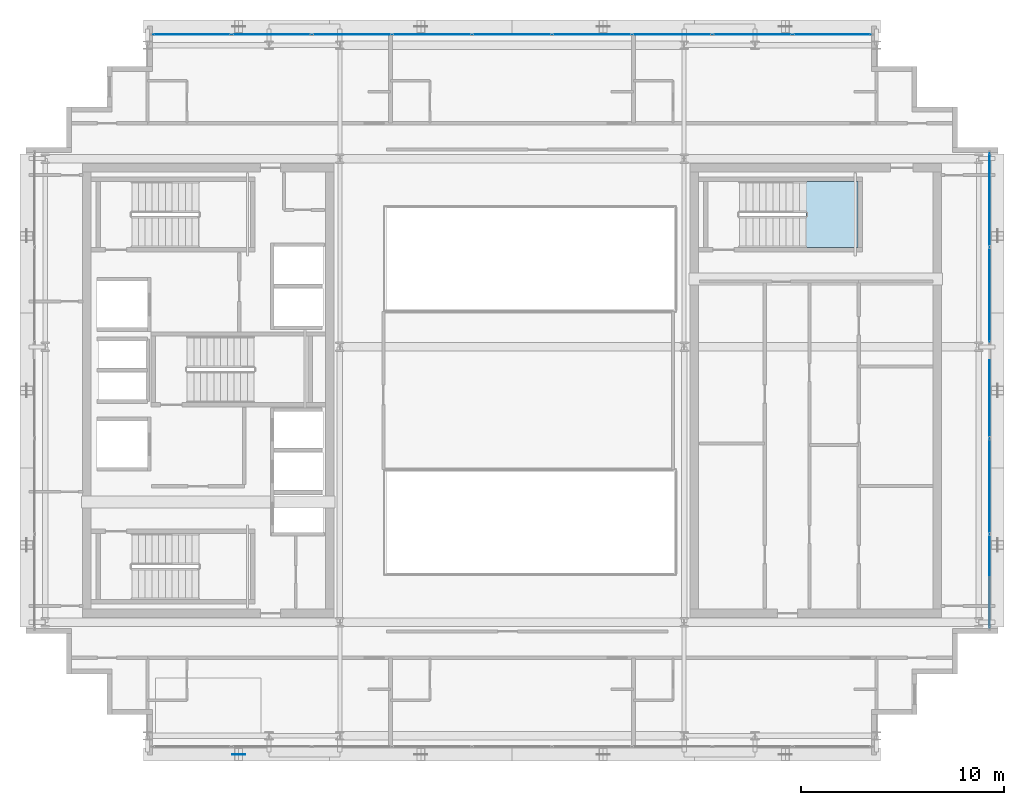
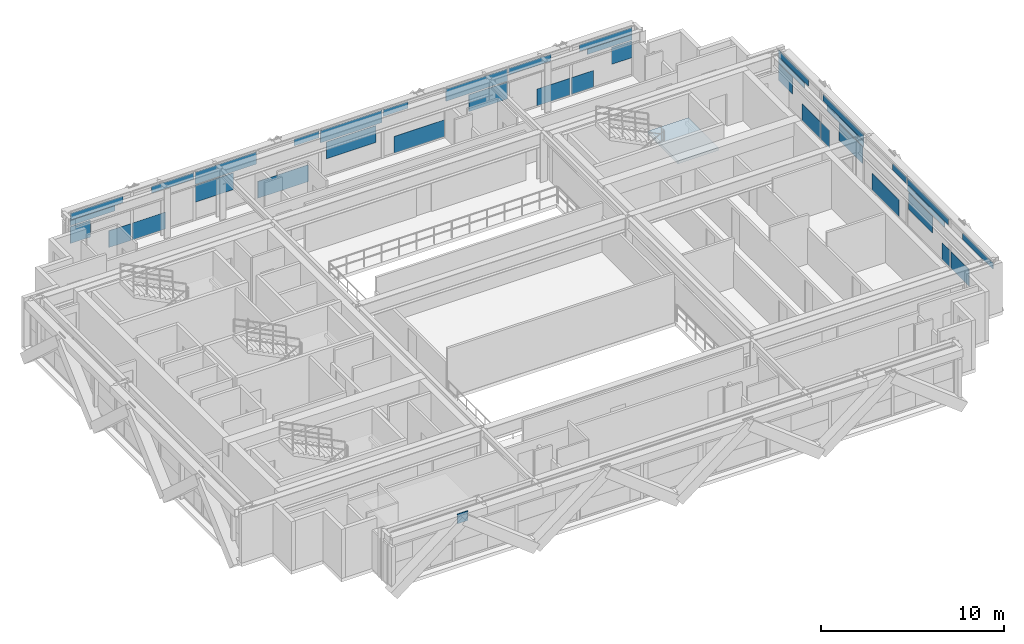
# One storey, part 18 of 28: 39 plates, 1 slab, 3 elements without a shape of their own.
"""IFC4 building model written with IfcOpenShell, lengths in metres."""

from ifc_helpers import new_model, si_unit, direction, frame, origin, origin_2d, place, context, subcontext, project, spatial, polyline, rectangle, outline, extrude, source, transform, mapped, material, layer, layer_set, type_object, element, aggregate, save


model = new_model("IFC4")

# Units and contexts
model_context = context("Model", 3, precision=1e-05, world=origin(), true_north=direction((0.0, 1.0)))
body_context = subcontext(model_context, "Body", "Model", "MODEL_VIEW")
ifc_project = project(units=[si_unit("LENGTHUNIT", "METRE"), si_unit("AREAUNIT", "SQUARE_METRE"), si_unit("VOLUMEUNIT", "CUBIC_METRE"), si_unit("PLANEANGLEUNIT", "RADIAN"), si_unit("MASSUNIT", "GRAM", prefix="KILO")], contexts=[model_context])

# Site, building, storey
site_placement = place(None, origin())
site = spatial("IfcSite", under=ifc_project, at=site_placement, CompositionType="ELEMENT")
building_placement = place(site_placement, origin())
building = spatial("IfcBuilding", under=site, at=building_placement, Name="Ocotamira Hotel", CompositionType="ELEMENT")
storey_placement = place(building_placement, frame((0.0, 0.0, 243.60009765625)))
storey = spatial("IfcBuildingStorey", under=building, at=storey_placement, Name="L61", CompositionType="ELEMENT", Elevation=243.60009765625)

# Stair, slab
ifc_material_1 = material(Name="Concrete C40/50", Category="concrete")
stair_type = type_object("IfcStairType", Name="ST-CORE-1560", PredefinedType="HALF_TURN_STAIR", material=ifc_material_1)
stair_placement = place(storey_placement, origin())
stair = element("IfcStair", 1, at=stair_placement, inside=storey, type_object=stair_type, Name="L61 Exit Stair ST-4", PredefinedType="HALF_TURN_STAIR")
ifc_layer_1 = layer(ifc_material_1, 0.199951171875)
ifc_layer_set_1 = layer_set([ifc_layer_1], Name="Concrete C40/50")
slab_type = type_object("IfcSlabType", Name="SLB-LAND-200", PredefinedType="LANDING", material=ifc_layer_set_1)
slab_placement = place(storey_placement, frame((0.0, 0.0, 1.599853515625)))
slab = element("IfcSlab", 2, at=slab_placement, type_object=slab_type, Name="ST-4 landing 1", PredefinedType="LANDING", context=body_context, shape_type="SweptSolid", body=[
    extrude(outline(polyline([(46.530029296875, 33.050048828125), (49.090087890625, 33.050048828125), (49.090087890625, 36.330078125), (46.530029296875, 36.330078125), (46.530029296875, 33.050048828125)])), origin(), (0.0, 0.0, 1.0), 0.199951171875),
])
aggregate(stair, [slab])

# Plate
ifc_material_2 = material(Name="Pale-metal coated steel ASTM A572 Grade 50", Category="steel")
ifc_layer_2 = layer(ifc_material_2, 0.0400390625)
ifc_layer_set_2 = layer_set([ifc_layer_2], Name="Pale-metal coated steel ASTM A572 Grade 50")
plate_type_1 = type_object("IfcPlateType", Name="PLT-GUSSET-40", PredefinedType="SHEET", material=ifc_layer_set_2)
shared_shape_1 = source(origin(), body_context, "Body", "SweptSolid", [
    extrude(rectangle(XDim=0.64990234375, YDim=0.0400390625, at=origin_2d()), origin(), (0.0, 0.0, 1.0), 0.64990234375),
])
plate_1_placement = place(storey_placement, frame((18.5, 8.030029296875, 2.704833984375), z_axis=(0.0, 0.0, 1.0), x_axis=(1.0, 0.0, 0.0)))
element("IfcPlate", 3, at=plate_1_placement, inside=storey, type_object=plate_type_1, Name="L61 Exoskeleton Diagrid S0.1 End Gusset B", PredefinedType="SHEET", context=body_context, shape_type="MappedRepresentation", body=[
    mapped(shared_shape_1, transform((0.0, 0.0, 0.0), scale=1.0)),
])

# Curtain wall, plates
ifc_material_3 = material(Name="Anodised pale-metal aluminium and solar glass", Category="aluminium")
ifc_layer_3 = layer(ifc_material_3, 0.239990234375)
ifc_layer_set_3 = layer_set([ifc_layer_3], Name="Anodised pale-metal aluminium and solar glass")
curtain_wall_type = type_object("IfcCurtainWallType", Name="CW-SYS5-SKY", PredefinedType="NOTDEFINED", material=ifc_layer_set_3)
curtain_wall_1_placement = place(storey_placement, origin())
curtain_wall_1 = element("IfcCurtainWall", 4, at=curtain_wall_1_placement, inside=storey, type_object=curtain_wall_type, Name="L61 Curtain Wall CW-5 CW-L61-N", PredefinedType="NOTDEFINED")
ifc_material_4 = material(Name="Double-silver low-E insulated solar glass", Category="glass")
ifc_layer_4 = layer(ifc_material_4, 0.031982421875)
ifc_layer_set_4 = layer_set([ifc_layer_4], Name="Double-silver low-E insulated solar glass")
plate_type_2 = type_object("IfcPlateType", Name="CWP-VISION-32", PredefinedType="CURTAIN_PANEL", material=ifc_layer_set_4)
shared_shape_2 = source(origin(), body_context, "Body", "SweptSolid", [
    extrude(rectangle(XDim=3.87548828125, YDim=0.031982421875, at=origin_2d()), origin(), (0.0, 0.0, 1.0), 0.8173828125),
])
plate_2_placement = place(storey_placement, frame((24.0888671875, 43.580078125, 2.387451171875), z_axis=(0.0, 0.0, 1.0), x_axis=(1.0, 0.0, 0.0)))
plate_2 = element("IfcPlate", 5, at=plate_2_placement, type_object=plate_type_2, Name="CW-5 panel 3.2", PredefinedType="CURTAIN_PANEL", context=body_context, shape_type="MappedRepresentation", body=[
    mapped(shared_shape_2, transform((0.0, 0.0, 0.0), scale=1.0)),
])
plate_3_placement = place(storey_placement, frame((32.0, 43.580078125, 2.387451171875), z_axis=(0.0, 0.0, 1.0), x_axis=(1.0, 0.0, 0.0)))
plate_3 = element("IfcPlate", 6, at=plate_3_placement, type_object=plate_type_2, Name="CW-5 panel 5.2", PredefinedType="CURTAIN_PANEL", context=body_context, shape_type="MappedRepresentation", body=[
    mapped(shared_shape_2, transform((0.0, 0.0, 0.0), scale=1.0)),
])
plate_4_placement = place(storey_placement, frame((39.9111328125, 43.580078125, 2.387451171875), z_axis=(0.0, 0.0, 1.0), x_axis=(1.0, 0.0, 0.0)))
plate_4 = element("IfcPlate", 7, at=plate_4_placement, type_object=plate_type_2, Name="CW-5 panel 7.2", PredefinedType="CURTAIN_PANEL", context=body_context, shape_type="MappedRepresentation", body=[
    mapped(shared_shape_2, transform((0.0, 0.0, 0.0), scale=1.0)),
])
shared_shape_3 = source(origin(), body_context, "Body", "SweptSolid", [
    extrude(rectangle(XDim=1.2890625, YDim=0.031982421875, at=origin_2d()), origin(), (0.0, 0.0, 1.0), 1.118896484375),
])
plate_5_placement = place(storey_placement, frame((14.924560546875, 43.580078125, 1.193359375), z_axis=(0.0, 0.0, 1.0), x_axis=(1.0, 0.0, 0.0)))
plate_5 = element("IfcPlate", 8, at=plate_5_placement, type_object=plate_type_2, Name="CW-5 panel 1.1.1", PredefinedType="CURTAIN_PANEL", context=body_context, shape_type="MappedRepresentation", body=[
    mapped(shared_shape_3, transform((0.0, 0.0, 0.0), scale=1.0)),
])
plate_6_placement = place(storey_placement, frame((49.075439453125, 43.580078125, 1.193359375), z_axis=(0.0, 0.0, 1.0), x_axis=(1.0, 0.0, 0.0)))
plate_6 = element("IfcPlate", 9, at=plate_6_placement, type_object=plate_type_2, Name="CW-5 panel 9.1.2", PredefinedType="CURTAIN_PANEL", context=body_context, shape_type="MappedRepresentation", body=[
    mapped(shared_shape_3, transform((0.0, 0.0, 0.0), scale=1.0)),
])
shared_shape_4 = source(origin(), body_context, "Body", "SweptSolid", [
    extrude(rectangle(XDim=1.406494140625, YDim=0.031982421875, at=origin_2d()), origin(), (0.0, 0.0, 1.0), 1.11865234375),
])
plate_7_placement = place(storey_placement, frame((17.412353515625, 43.580078125, 0.074951171875), z_axis=(0.0, 0.0, 1.0), x_axis=(1.0, 0.0, 0.0)))
plate_7 = element("IfcPlate", 10, at=plate_7_placement, type_object=plate_type_2, Name="CW-5 panel 1.1.2", PredefinedType="CURTAIN_PANEL", context=body_context, shape_type="MappedRepresentation", body=[
    mapped(shared_shape_4, transform((0.0, 0.0, 0.0), scale=1.0)),
])
plate_8_placement = place(storey_placement, frame((46.587646484375, 43.580078125, 0.074951171875), z_axis=(0.0, 0.0, 1.0), x_axis=(1.0, 0.0, 0.0)))
plate_8 = element("IfcPlate", 11, at=plate_8_placement, type_object=plate_type_2, Name="CW-5 panel 9.1.1", PredefinedType="CURTAIN_PANEL", context=body_context, shape_type="MappedRepresentation", body=[
    mapped(shared_shape_4, transform((0.0, 0.0, 0.0), scale=1.0)),
])
shared_shape_5 = source(origin(), body_context, "Body", "SweptSolid", [
    extrude(rectangle(XDim=2.82373046875, YDim=0.031982421875, at=origin_2d()), origin(), (0.0, 0.0, 1.0), 0.356201171875),
])
plate_9_placement = place(storey_placement, frame((15.69189453125, 43.580078125, 2.38720703125), z_axis=(0.0, 0.0, 1.0), x_axis=(1.0, 0.0, 0.0)))
plate_9 = element("IfcPlate", 12, at=plate_9_placement, type_object=plate_type_2, Name="CW-5 panel 1.2.1", PredefinedType="CURTAIN_PANEL", context=body_context, shape_type="MappedRepresentation", body=[
    mapped(shared_shape_5, transform((0.0, 0.0, 0.0), scale=1.0)),
])
plate_10_placement = place(storey_placement, frame((48.30810546875, 43.580078125, 2.38720703125), z_axis=(0.0, 0.0, 1.0), x_axis=(1.0, 0.0, 0.0)))
plate_10 = element("IfcPlate", 13, at=plate_10_placement, type_object=plate_type_2, Name="CW-5 panel 9.2.2", PredefinedType="CURTAIN_PANEL", context=body_context, shape_type="MappedRepresentation", body=[
    mapped(shared_shape_5, transform((0.0, 0.0, 0.0), scale=1.0)),
])
shared_shape_6 = source(origin(), body_context, "Body", "SweptSolid", [
    extrude(rectangle(XDim=3.314453125, YDim=0.031982421875, at=origin_2d()), origin(), (0.0, 0.0, 1.0), 0.435791015625),
])
plate_11_placement = place(storey_placement, frame((15.937255859375, 43.580078125, 2.76904296875), z_axis=(0.0, 0.0, 1.0), x_axis=(1.0, 0.0, 0.0)))
plate_11 = element("IfcPlate", 14, at=plate_11_placement, type_object=plate_type_2, Name="CW-5 panel 1.2.2", PredefinedType="CURTAIN_PANEL", context=body_context, shape_type="MappedRepresentation", body=[
    mapped(shared_shape_6, transform((0.0, 0.0, 0.0), scale=1.0)),
])
plate_12_placement = place(storey_placement, frame((48.062744140625, 43.580078125, 2.76904296875), z_axis=(0.0, 0.0, 1.0), x_axis=(1.0, 0.0, 0.0)))
plate_12 = element("IfcPlate", 15, at=plate_12_placement, type_object=plate_type_2, Name="CW-5 panel 9.2.1", PredefinedType="CURTAIN_PANEL", context=body_context, shape_type="MappedRepresentation", body=[
    mapped(shared_shape_6, transform((0.0, 0.0, 0.0), scale=1.0)),
])
shared_shape_7 = source(origin(), body_context, "Body", "SweptSolid", [
    extrude(rectangle(XDim=2.09521484375, YDim=0.031982421875, at=origin_2d()), origin(), (0.0, 0.0, 1.0), 1.11865234375),
])
plate_13_placement = place(storey_placement, frame((19.2431640625, 43.580078125, 0.074951171875), z_axis=(0.0, 0.0, 1.0), x_axis=(1.0, 0.0, 0.0)))
plate_13 = element("IfcPlate", 16, at=plate_13_placement, type_object=plate_type_2, Name="CW-5 panel 2.1.1", PredefinedType="CURTAIN_PANEL", context=body_context, shape_type="MappedRepresentation", body=[
    mapped(shared_shape_7, transform((0.0, 0.0, 0.0), scale=1.0)),
])
plate_14_placement = place(storey_placement, frame((44.7568359375, 43.580078125, 0.074951171875), z_axis=(0.0, 0.0, 1.0), x_axis=(1.0, 0.0, 0.0)))
plate_14 = element("IfcPlate", 17, at=plate_14_placement, type_object=plate_type_2, Name="CW-5 panel 8.1.1", PredefinedType="CURTAIN_PANEL", context=body_context, shape_type="MappedRepresentation", body=[
    mapped(shared_shape_7, transform((0.0, 0.0, 0.0), scale=1.0)),
])
shared_shape_8 = source(origin(), body_context, "Body", "SweptSolid", [
    extrude(rectangle(XDim=2.66552734375, YDim=0.031982421875, at=origin_2d()), origin(), (0.0, 0.0, 1.0), 0.435791015625),
])
plate_15_placement = place(storey_placement, frame((20.73828125, 43.580078125, 2.76904296875), z_axis=(0.0, 0.0, 1.0), x_axis=(1.0, 0.0, 0.0)))
plate_15 = element("IfcPlate", 18, at=plate_15_placement, type_object=plate_type_2, Name="CW-5 panel 2.2.1", PredefinedType="CURTAIN_PANEL", context=body_context, shape_type="MappedRepresentation", body=[
    mapped(shared_shape_8, transform((0.0, 0.0, 0.0), scale=1.0)),
])
plate_16_placement = place(storey_placement, frame((43.26171875, 43.580078125, 2.76904296875), z_axis=(0.0, 0.0, 1.0), x_axis=(1.0, 0.0, 0.0)))
plate_16 = element("IfcPlate", 19, at=plate_16_placement, type_object=plate_type_2, Name="CW-5 panel 8.2.1", PredefinedType="CURTAIN_PANEL", context=body_context, shape_type="MappedRepresentation", body=[
    mapped(shared_shape_8, transform((0.0, 0.0, 0.0), scale=1.0)),
])
shared_shape_9 = source(origin(), body_context, "Body", "SweptSolid", [
    extrude(rectangle(XDim=2.41796875, YDim=0.031982421875, at=origin_2d()), origin(), (0.0, 0.0, 1.0), 1.118896484375),
])
plate_17_placement = place(storey_placement, frame((23.360107421875, 43.580078125, 1.193359375), z_axis=(0.0, 0.0, 1.0), x_axis=(1.0, 0.0, 0.0)))
plate_17 = element("IfcPlate", 20, at=plate_17_placement, type_object=plate_type_2, Name="CW-5 panel 3.1.1", PredefinedType="CURTAIN_PANEL", context=body_context, shape_type="MappedRepresentation", body=[
    mapped(shared_shape_9, transform((0.0, 0.0, 0.0), scale=1.0)),
])
plate_18_placement = place(storey_placement, frame((40.639892578125, 43.580078125, 1.193359375), z_axis=(0.0, 0.0, 1.0), x_axis=(1.0, 0.0, 0.0)))
plate_18 = element("IfcPlate", 21, at=plate_18_placement, type_object=plate_type_2, Name="CW-5 panel 7.1.1", PredefinedType="CURTAIN_PANEL", context=body_context, shape_type="MappedRepresentation", body=[
    mapped(shared_shape_9, transform((0.0, 0.0, 0.0), scale=1.0)),
])
shared_shape_10 = source(origin(), body_context, "Body", "SweptSolid", [
    extrude(rectangle(XDim=3.18408203125, YDim=0.031982421875, at=origin_2d()), origin(), (0.0, 0.0, 1.0), 1.11865234375),
])
plate_19_placement = place(storey_placement, frame((27.69873046875, 43.580078125, 0.074951171875), z_axis=(0.0, 0.0, 1.0), x_axis=(1.0, 0.0, 0.0)))
plate_19 = element("IfcPlate", 22, at=plate_19_placement, type_object=plate_type_2, Name="CW-5 panel 4.1.1", PredefinedType="CURTAIN_PANEL", context=body_context, shape_type="MappedRepresentation", body=[
    mapped(shared_shape_10, transform((0.0, 0.0, 0.0), scale=1.0)),
])
plate_20_placement = place(storey_placement, frame((36.30126953125, 43.580078125, 0.074951171875), z_axis=(0.0, 0.0, 1.0), x_axis=(1.0, 0.0, 0.0)))
plate_20 = element("IfcPlate", 23, at=plate_20_placement, type_object=plate_type_2, Name="CW-5 panel 6.1.1", PredefinedType="CURTAIN_PANEL", context=body_context, shape_type="MappedRepresentation", body=[
    mapped(shared_shape_10, transform((0.0, 0.0, 0.0), scale=1.0)),
])
shared_shape_11 = source(origin(), body_context, "Body", "SweptSolid", [
    extrude(rectangle(XDim=1.57666015625, YDim=0.031982421875, at=origin_2d()), origin(), (0.0, 0.0, 1.0), 0.435791015625),
])
plate_21_placement = place(storey_placement, frame((29.19384765625, 43.580078125, 2.76904296875), z_axis=(0.0, 0.0, 1.0), x_axis=(1.0, 0.0, 0.0)))
plate_21 = element("IfcPlate", 24, at=plate_21_placement, type_object=plate_type_2, Name="CW-5 panel 4.2.1", PredefinedType="CURTAIN_PANEL", context=body_context, shape_type="MappedRepresentation", body=[
    mapped(shared_shape_11, transform((0.0, 0.0, 0.0), scale=1.0)),
])
plate_22_placement = place(storey_placement, frame((34.80615234375, 43.580078125, 2.76904296875), z_axis=(0.0, 0.0, 1.0), x_axis=(1.0, 0.0, 0.0)))
plate_22 = element("IfcPlate", 25, at=plate_22_placement, type_object=plate_type_2, Name="CW-5 panel 6.2.1", PredefinedType="CURTAIN_PANEL", context=body_context, shape_type="MappedRepresentation", body=[
    mapped(shared_shape_11, transform((0.0, 0.0, 0.0), scale=1.0)),
])
shared_shape_12 = source(origin(), body_context, "Body", "SweptSolid", [
    extrude(rectangle(XDim=3.137939453125, YDim=0.031982421875, at=origin_2d()), origin(), (0.0, 0.0, 1.0), 1.118896484375),
])
plate_23_placement = place(storey_placement, frame((32.0, 43.580078125, 1.193359375), z_axis=(0.0, 0.0, 1.0), x_axis=(1.0, 0.0, 0.0)))
plate_23 = element("IfcPlate", 26, at=plate_23_placement, type_object=plate_type_2, Name="CW-5 panel 5.1.1", PredefinedType="CURTAIN_PANEL", context=body_context, shape_type="MappedRepresentation", body=[
    mapped(shared_shape_12, transform((0.0, 0.0, 0.0), scale=1.0)),
])
aggregate(curtain_wall_1, [plate_5, plate_7, plate_9, plate_11, plate_13, plate_15, plate_17, plate_2, plate_19, plate_21, plate_23, plate_3, plate_20, plate_22, plate_18, plate_4, plate_14, plate_16, plate_8, plate_6, plate_12, plate_10])

curtain_wall_2_placement = place(storey_placement, origin())
curtain_wall_2 = element("IfcCurtainWall", 27, at=curtain_wall_2_placement, inside=storey, type_object=curtain_wall_type, Name="L61 Curtain Wall CW-5 CW-L61-E", PredefinedType="NOTDEFINED")
shared_shape_13 = source(origin(), body_context, "Body", "SweptSolid", [
    extrude(rectangle(XDim=1.56640625, YDim=0.031982421875, at=origin_2d()), origin(), (0.0, 0.0, 1.0), 1.118896484375),
])
plate_24_placement = place(storey_placement, frame((55.580078125, 36.936767578125, 1.193359375), z_axis=(0.0, 0.0, 1.0), x_axis=(0.0, 1.0, 0.0)))
plate_24 = element("IfcPlate", 28, at=plate_24_placement, type_object=plate_type_2, Name="CW-5 panel 5.1.2", PredefinedType="CURTAIN_PANEL", context=body_context, shape_type="MappedRepresentation", body=[
    mapped(shared_shape_13, transform((0.0, 0.0, 0.0), scale=1.0)),
])
shared_shape_14 = source(origin(), body_context, "Body", "SweptSolid", [
    extrude(rectangle(XDim=1.997802734375, YDim=0.031982421875, at=origin_2d()), origin(), (0.0, 0.0, 1.0), 1.11865234375),
])
plate_25_placement = place(storey_placement, frame((55.580078125, 17.881103515625, 0.074951171875), z_axis=(0.0, 0.0, 1.0), x_axis=(0.0, 1.0, 0.0)))
plate_25 = element("IfcPlate", 29, at=plate_25_placement, type_object=plate_type_2, Name="CW-5 panel 1.1.2", PredefinedType="CURTAIN_PANEL", context=body_context, shape_type="MappedRepresentation", body=[
    mapped(shared_shape_14, transform((0.0, 0.0, 0.0), scale=1.0)),
])
plate_26_placement = place(storey_placement, frame((55.580078125, 34.118896484375, 0.074951171875), z_axis=(0.0, 0.0, 1.0), x_axis=(0.0, 1.0, 0.0)))
plate_26 = element("IfcPlate", 30, at=plate_26_placement, type_object=plate_type_2, Name="CW-5 panel 5.1.1", PredefinedType="CURTAIN_PANEL", context=body_context, shape_type="MappedRepresentation", body=[
    mapped(shared_shape_14, transform((0.0, 0.0, 0.0), scale=1.0)),
])
shared_shape_15 = source(origin(), body_context, "Body", "SweptSolid", [
    extrude(rectangle(XDim=2.8681640625, YDim=0.031982421875, at=origin_2d()), origin(), (0.0, 0.0, 1.0), 0.373779296875),
])
plate_27_placement = place(storey_placement, frame((55.580078125, 36.285888671875, 2.38720703125), z_axis=(0.0, 0.0, 1.0), x_axis=(0.0, 1.0, 0.0)))
plate_27 = element("IfcPlate", 31, at=plate_27_placement, type_object=plate_type_2, Name="CW-5 panel 5.2.2", PredefinedType="CURTAIN_PANEL", context=body_context, shape_type="MappedRepresentation", body=[
    mapped(shared_shape_15, transform((0.0, 0.0, 0.0), scale=1.0)),
])
shared_shape_16 = source(origin(), body_context, "Body", "SweptSolid", [
    extrude(rectangle(XDim=3.305908203125, YDim=0.031982421875, at=origin_2d()), origin(), (0.0, 0.0, 1.0), 0.416015625),
])
plate_28_placement = place(storey_placement, frame((55.580078125, 15.932861328125, 2.788818359375), z_axis=(0.0, 0.0, 1.0), x_axis=(0.0, 1.0, 0.0)))
plate_28 = element("IfcPlate", 32, at=plate_28_placement, type_object=plate_type_2, Name="CW-5 panel 1.2.2", PredefinedType="CURTAIN_PANEL", context=body_context, shape_type="MappedRepresentation", body=[
    mapped(shared_shape_16, transform((0.0, 0.0, 0.0), scale=1.0)),
])
plate_29_placement = place(storey_placement, frame((55.580078125, 36.067138671875, 2.788818359375), z_axis=(0.0, 0.0, 1.0), x_axis=(0.0, 1.0, 0.0)))
plate_29 = element("IfcPlate", 33, at=plate_29_placement, type_object=plate_type_2, Name="CW-5 panel 5.2.1", PredefinedType="CURTAIN_PANEL", context=body_context, shape_type="MappedRepresentation", body=[
    mapped(shared_shape_16, transform((0.0, 0.0, 0.0), scale=1.0)),
])
shared_shape_17 = source(origin(), body_context, "Body", "SweptSolid", [
    extrude(rectangle(XDim=0.89111328125, YDim=0.031982421875, at=origin_2d()), origin(), (0.0, 0.0, 1.0), 1.11865234375),
])
plate_30_placement = place(storey_placement, frame((55.580078125, 19.405517578125, 0.074951171875), z_axis=(0.0, 0.0, 1.0), x_axis=(0.0, 1.0, 0.0)))
plate_30 = element("IfcPlate", 34, at=plate_30_placement, type_object=plate_type_2, Name="CW-5 panel 2.1.1", PredefinedType="CURTAIN_PANEL", context=body_context, shape_type="MappedRepresentation", body=[
    mapped(shared_shape_17, transform((0.0, 0.0, 0.0), scale=1.0)),
])
plate_31_placement = place(storey_placement, frame((55.580078125, 32.594482421875, 0.074951171875), z_axis=(0.0, 0.0, 1.0), x_axis=(0.0, 1.0, 0.0)))
plate_31 = element("IfcPlate", 35, at=plate_31_placement, type_object=plate_type_2, Name="CW-5 panel 4.1.2", PredefinedType="CURTAIN_PANEL", context=body_context, shape_type="MappedRepresentation", body=[
    mapped(shared_shape_17, transform((0.0, 0.0, 0.0), scale=1.0)),
])
shared_shape_18 = source(origin(), body_context, "Body", "SweptSolid", [
    extrude(rectangle(XDim=2.593017578125, YDim=0.031982421875, at=origin_2d()), origin(), (0.0, 0.0, 1.0), 1.118896484375),
])
plate_32_placement = place(storey_placement, frame((55.580078125, 22.183349609375, 1.193359375), z_axis=(0.0, 0.0, 1.0), x_axis=(0.0, 1.0, 0.0)))
plate_32 = element("IfcPlate", 36, at=plate_32_placement, type_object=plate_type_2, Name="CW-5 panel 2.1.2", PredefinedType="CURTAIN_PANEL", context=body_context, shape_type="MappedRepresentation", body=[
    mapped(shared_shape_18, transform((0.0, 0.0, 0.0), scale=1.0)),
])
plate_33_placement = place(storey_placement, frame((55.580078125, 29.816650390625, 1.193359375), z_axis=(0.0, 0.0, 1.0), x_axis=(0.0, 1.0, 0.0)))
plate_33 = element("IfcPlate", 37, at=plate_33_placement, type_object=plate_type_2, Name="CW-5 panel 4.1.1", PredefinedType="CURTAIN_PANEL", context=body_context, shape_type="MappedRepresentation", body=[
    mapped(shared_shape_18, transform((0.0, 0.0, 0.0), scale=1.0)),
])
shared_shape_19 = source(origin(), body_context, "Body", "SweptSolid", [
    extrude(rectangle(XDim=4.45263671875, YDim=0.031982421875, at=origin_2d()), origin(), (0.0, 0.0, 1.0), 0.416015625),
])
plate_34_placement = place(storey_placement, frame((55.580078125, 21.373779296875, 2.788818359375), z_axis=(0.0, 0.0, 1.0), x_axis=(0.0, 1.0, 0.0)))
plate_34 = element("IfcPlate", 38, at=plate_34_placement, type_object=plate_type_2, Name="CW-5 panel 2.2.1", PredefinedType="CURTAIN_PANEL", context=body_context, shape_type="MappedRepresentation", body=[
    mapped(shared_shape_19, transform((0.0, 0.0, 0.0), scale=1.0)),
])
plate_35_placement = place(storey_placement, frame((55.580078125, 30.626220703125, 2.788818359375), z_axis=(0.0, 0.0, 1.0), x_axis=(0.0, 1.0, 0.0)))
plate_35 = element("IfcPlate", 39, at=plate_35_placement, type_object=plate_type_2, Name="CW-5 panel 4.2.2", PredefinedType="CURTAIN_PANEL", context=body_context, shape_type="MappedRepresentation", body=[
    mapped(shared_shape_19, transform((0.0, 0.0, 0.0), scale=1.0)),
])
shared_shape_20 = source(origin(), body_context, "Body", "SweptSolid", [
    extrude(rectangle(XDim=4.014892578125, YDim=0.031982421875, at=origin_2d()), origin(), (0.0, 0.0, 1.0), 0.373779296875),
])
plate_36_placement = place(storey_placement, frame((55.580078125, 21.592529296875, 2.38720703125), z_axis=(0.0, 0.0, 1.0), x_axis=(0.0, 1.0, 0.0)))
plate_36 = element("IfcPlate", 40, at=plate_36_placement, type_object=plate_type_2, Name="CW-5 panel 2.2.2", PredefinedType="CURTAIN_PANEL", context=body_context, shape_type="MappedRepresentation", body=[
    mapped(shared_shape_20, transform((0.0, 0.0, 0.0), scale=1.0)),
])
plate_37_placement = place(storey_placement, frame((55.580078125, 30.407470703125, 2.38720703125), z_axis=(0.0, 0.0, 1.0), x_axis=(0.0, 1.0, 0.0)))
plate_37 = element("IfcPlate", 41, at=plate_37_placement, type_object=plate_type_2, Name="CW-5 panel 4.2.1", PredefinedType="CURTAIN_PANEL", context=body_context, shape_type="MappedRepresentation", body=[
    mapped(shared_shape_20, transform((0.0, 0.0, 0.0), scale=1.0)),
])
shared_shape_21 = source(origin(), body_context, "Body", "SweptSolid", [
    extrude(rectangle(XDim=2.968994140625, YDim=0.031982421875, at=origin_2d()), origin(), (0.0, 0.0, 1.0), 1.11865234375),
])
plate_38_placement = place(storey_placement, frame((55.580078125, 26.0, 0.074951171875), z_axis=(0.0, 0.0, 1.0), x_axis=(0.0, 1.0, 0.0)))
plate_38 = element("IfcPlate", 42, at=plate_38_placement, type_object=plate_type_2, Name="CW-5 panel 3.1.1", PredefinedType="CURTAIN_PANEL", context=body_context, shape_type="MappedRepresentation", body=[
    mapped(shared_shape_21, transform((0.0, 0.0, 0.0), scale=1.0)),
])
shared_shape_22 = source(origin(), body_context, "Body", "SweptSolid", [
    extrude(rectangle(XDim=1.539306640625, YDim=0.031982421875, at=origin_2d()), origin(), (0.0, 0.0, 1.0), 0.416015625),
])
plate_39_placement = place(storey_placement, frame((55.580078125, 24.44970703125, 2.788818359375), z_axis=(0.0, 0.0, 1.0), x_axis=(0.0, 1.0, 0.0)))
plate_39 = element("IfcPlate", 43, at=plate_39_placement, type_object=plate_type_2, Name="CW-5 panel 3.2.1", PredefinedType="CURTAIN_PANEL", context=body_context, shape_type="MappedRepresentation", body=[
    mapped(shared_shape_22, transform((0.0, 0.0, 0.0), scale=1.0)),
])
aggregate(curtain_wall_2, [plate_25, plate_28, plate_30, plate_32, plate_34, plate_36, plate_38, plate_39, plate_33, plate_31, plate_37, plate_35, plate_26, plate_24, plate_29, plate_27])

save(model, "model.ifc")
